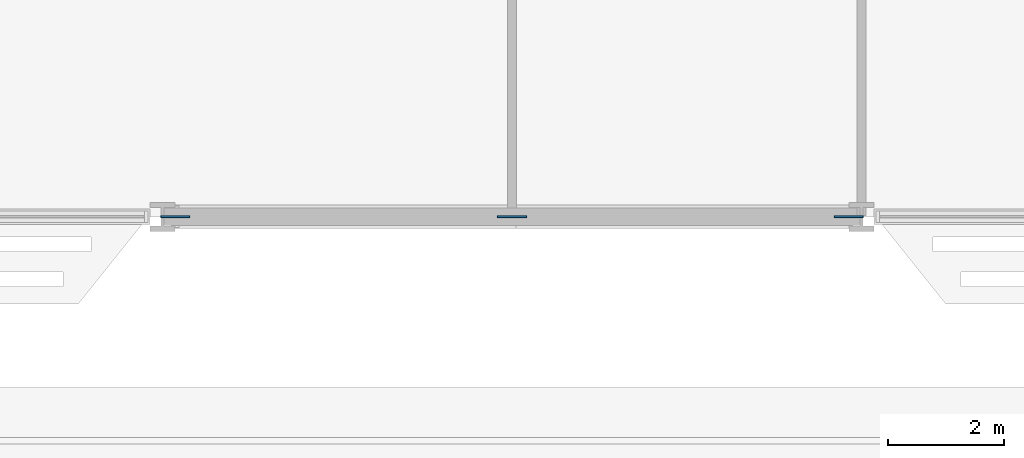
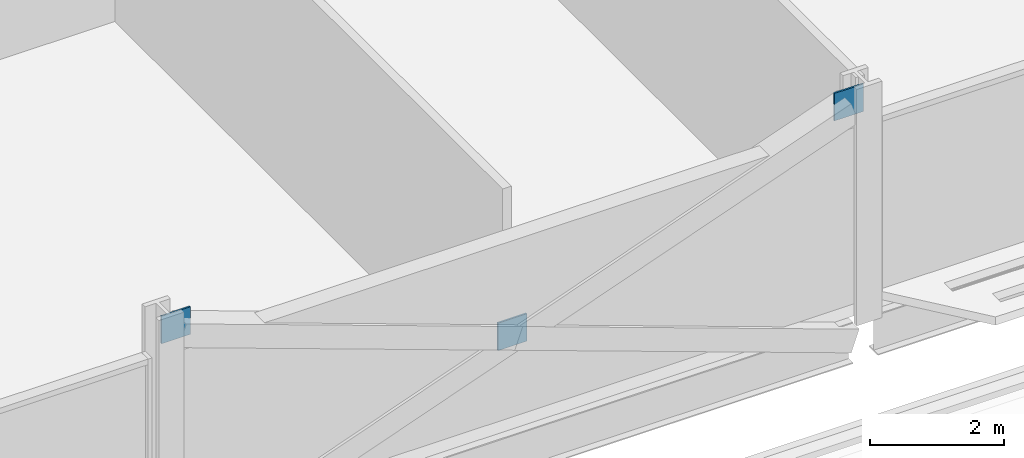
# One storey, part 16 of 26: 3 discrete accessories.
"""IFC4 building model written with IfcOpenShell, lengths in metres."""

from ifc_helpers import new_model, si_unit, direction, frame, origin, origin_2d, place, context, subcontext, project, spatial, rectangle, extrude, material, layer, layer_set, type_object, element, save


model = new_model("IFC4")

# Units and contexts
model_context = context("Model", 3, precision=1e-05, world=origin(), true_north=direction((0.0, 1.0)))
body_context = subcontext(model_context, "Body", "Model", "MODEL_VIEW")
ifc_project = project(units=[si_unit("LENGTHUNIT", "METRE"), si_unit("AREAUNIT", "SQUARE_METRE"), si_unit("VOLUMEUNIT", "CUBIC_METRE"), si_unit("PLANEANGLEUNIT", "RADIAN"), si_unit("MASSUNIT", "GRAM", prefix="KILO")], contexts=[model_context])

# Site, building, storey
site_placement = place(None, origin())
site = spatial("IfcSite", under=ifc_project, at=site_placement, CompositionType="ELEMENT")
building_placement = place(site_placement, origin())
building = spatial("IfcBuilding", under=site, at=building_placement, Name="Mahtab Terrace Research Tower", CompositionType="ELEMENT")
storey_placement = place(building_placement, frame((0.0, 0.0, 15.800048828125)))
storey = spatial("IfcBuildingStorey", under=building, at=storey_placement, Name="L03", CompositionType="ELEMENT", Elevation=15.800048828125)

# Discrete accessories
ifc_material = material(Name="Steel ASTM A992 Gr 50", Category="steel")
ifc_layer = layer(ifc_material, 0.030029296875)
ifc_layer_set = layer_set([ifc_layer], Name="Gusset plate 500x500x30")
discrete_accessory_type = type_object("IfcDiscreteAccessoryType", Name="Gusset plate 500x500x30", PredefinedType="USERDEFINED", material=ifc_layer_set)
for number, where, z_axis, x_axis, name in (
    (1, (-5.7841796875, -23.0, 3.33154296875), (0.0, 0.0, 1.0), (1.0, 0.0, 0.0), "Gusset plate"),
    (2, (0.0, -23.0, 1.181640625), (0.0, 0.0, 1.0), (1.0, 0.0, 0.0), "Gusset plate"),
    (3, (5.7841796875, -23.0, 3.33154296875), (0.0, 0.0, 1.0), (1.0, 0.0, 0.0), "Gusset plate"),
):
    element("IfcDiscreteAccessory", number, at=place(storey_placement, frame(where, z_axis=z_axis, x_axis=x_axis)), inside=storey, type_object=discrete_accessory_type, Name=name, ObjectType="GUSSET PLATE", PredefinedType="USERDEFINED", context=body_context, shape_type="SweptSolid", body=[
        extrude(rectangle(XDim=0.5, YDim=0.030029296875, at=origin_2d()), origin(), (0.0, 0.0, 1.0), 0.5),
    ])

save(model, "model.ifc")
